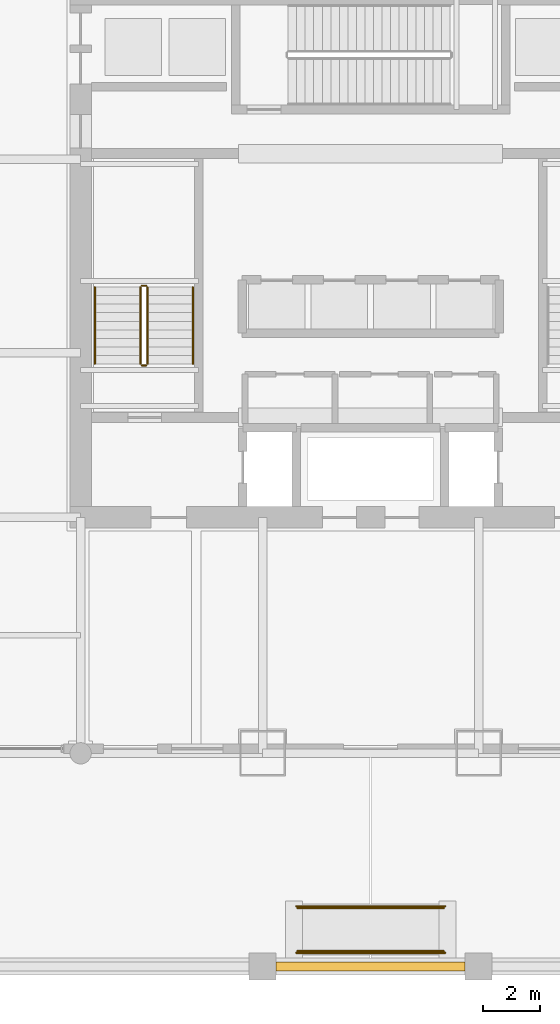
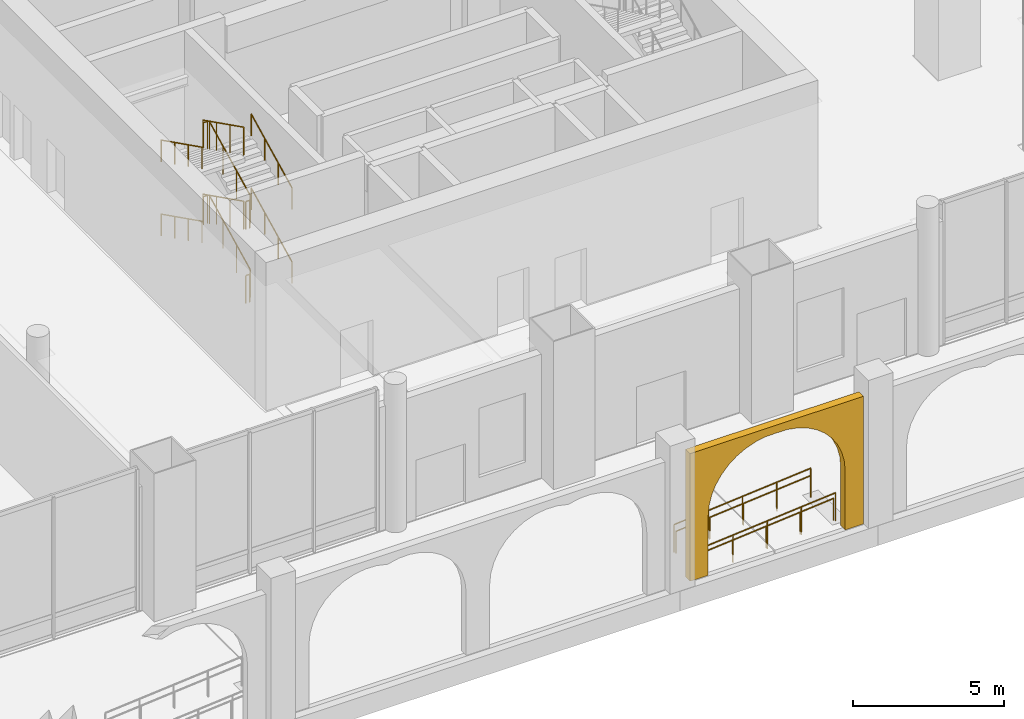
# One storey, part 26 of 32: 16 railings, 1 covering.
"""IFC4 building model written with IfcOpenShell, lengths in metres."""

from ifc_helpers import new_model, si_unit, direction, frame, origin, origin_2d, place, context, subcontext, project, spatial, polyline, circle, outline, extrude, material, layer, layer_set, type_object, element, save


model = new_model("IFC4")

# Units and contexts
model_context = context("Model", 3, precision=1e-05, world=origin(), true_north=direction((0.0, 1.0)))
body_context = subcontext(model_context, "Body", "Model", "MODEL_VIEW")
ifc_project = project(units=[si_unit("LENGTHUNIT", "METRE"), si_unit("AREAUNIT", "SQUARE_METRE"), si_unit("VOLUMEUNIT", "CUBIC_METRE"), si_unit("PLANEANGLEUNIT", "RADIAN"), si_unit("MASSUNIT", "GRAM", prefix="KILO")], contexts=[model_context])

# Site, building, storey
site_placement = place(None, origin())
site = spatial("IfcSite", under=ifc_project, at=site_placement, CompositionType="ELEMENT")
building_placement = place(site_placement, origin())
building = spatial("IfcBuilding", under=site, at=building_placement, Name="Punatoya Terracotta Tower", CompositionType="ELEMENT")
storey_placement = place(building_placement, origin())
storey = spatial("IfcBuildingStorey", under=building, at=storey_placement, Name="L00", CompositionType="ELEMENT", Elevation=0.0)

# Covering
ifc_material_1 = material(Name="Architectural Fired Terracotta Rainscreen", Category="masonry")
ifc_layer = layer(ifc_material_1, 0.300048828125)
ifc_layer_set = layer_set([ifc_layer], Name="Architectural Fired Terracotta Rainscreen")
covering_type = type_object("IfcCoveringType", Name="COV-ARC-300", PredefinedType="CLADDING", material=ifc_layer_set)
covering_placement = place(storey_placement, frame((-3.324951171875, -25.0, 0.0), z_axis=(0.0, 0.0, 1.0), x_axis=(1.0, 0.0, 0.0)))
element("IfcCovering", 1, at=covering_placement, inside=storey, type_object=covering_type, Name="L00 Waterfront Arcade Pointed-Arch Spandrel Panel 04", PredefinedType="CLADDING", context=body_context, shape_type="SweptSolid", body=[
    extrude(outline(polyline([(0.0, 0.0), (0.699951171875, 0.0), (0.699951171875, 2.39990234375), (0.73291015625, 2.80078125), (0.830810546875, 3.19091796875), (0.9912109375, 3.559814453125), (1.209716796875, 3.897705078125), (1.480224609375, 4.1953125), (1.795654296875, 4.44482421875), (2.147705078125, 4.639404296875), (2.52685546875, 4.77392578125), (2.9228515625, 4.8447265625), (3.324951171875, 4.85009765625), (3.727294921875, 4.8447265625), (4.123291015625, 4.77392578125), (4.502197265625, 4.639404296875), (4.854248046875, 4.44482421875), (5.169921875, 4.1953125), (5.4404296875, 3.897705078125), (5.65869140625, 3.559814453125), (5.819091796875, 3.19091796875), (5.9169921875, 2.80078125), (5.949951171875, 2.39990234375), (5.949951171875, 0.0), (6.64990234375, 0.0), (6.64990234375, 5.169921875), (0.0, 5.169921875), (0.0, 0.0)])), frame((0.0, 0.14990234375, 0.0), z_axis=(0.0, -1.0, 0.0), x_axis=(1.0, 0.0, 0.0)), (0.0, 0.0, 1.0), 0.300048828125),
])

# Railings
ifc_material_2 = material(Name="Steel S355", Category="steel")
railing_type_1 = type_object("IfcRailingType", Name="RLG-GRD-1150", PredefinedType="GUARDRAIL", material=ifc_material_2)
railing_1_placement = place(storey_placement, frame((-7.85009765625, -3.800048828125, 0.14990234375)))
element("IfcRailing", 2, at=railing_1_placement, inside=storey, type_object=railing_type_1, Name="L00 ST-1 stair guard 1", PredefinedType="GUARDRAIL", context=body_context, shape_type="SweptSolid", body=[
    extrude(circle(Radius=0.02392578125, at=origin_2d()), frame((0.0, 0.0, 1.1259765625), z_axis=(0.0, 0.894411015155, 0.447245945728), x_axis=(-1.0, 0.0, 0.0)), (0.0, 0.0, 1.0), 3.018798828125),
    extrude(circle(Radius=0.02099609375, at=origin_2d()), origin(), (0.0, 0.0, 1.0), 1.101806640625),
    extrude(circle(Radius=0.02099609375, at=origin_2d()), frame((0.0, 0.89990234375, 0.449951171875)), (0.0, 0.0, 1.0), 1.101806640625),
    extrude(circle(Radius=0.02099609375, at=origin_2d()), frame((0.0, 1.800048828125, 0.900146484375)), (0.0, 0.0, 1.0), 1.101806640625),
    extrude(circle(Radius=0.02099609375, at=origin_2d()), frame((0.0, 2.699951171875, 1.35009765625)), (0.0, 0.0, 1.0), 1.101806640625),
])
railing_2_placement = place(storey_placement, frame((-7.89990234375, -1.050048828125, 1.5)))
element("IfcRailing", 3, at=railing_2_placement, inside=storey, type_object=railing_type_1, Name="L00 ST-1 stair guard 2", PredefinedType="GUARDRAIL", context=body_context, shape_type="SweptSolid", body=[
    extrude(circle(Radius=0.02392578125, at=origin_2d()), frame((0.0, 0.0, 1.1259765625), z_axis=(-1.0, 0.0, 0.0), x_axis=(0.0, -1.0, 0.0)), (0.0, 0.0, 1.0), 0.150146484375),
    extrude(circle(Radius=0.02099609375, at=origin_2d()), origin(), (0.0, 0.0, 1.0), 1.101806640625),
    extrude(circle(Radius=0.02099609375, at=origin_2d()), frame((-0.150146484375, 0.0, 0.0)), (0.0, 0.0, 1.0), 1.101806640625),
])
railing_3_placement = place(storey_placement, frame((-8.10009765625, -1.10009765625, 1.64990234375)))
element("IfcRailing", 4, at=railing_3_placement, inside=storey, type_object=railing_type_1, Name="L00 ST-1 stair guard 3", PredefinedType="GUARDRAIL", context=body_context, shape_type="SweptSolid", body=[
    extrude(circle(Radius=0.02392578125, at=origin_2d()), frame((0.0, 0.0, 1.1259765625), z_axis=(0.0, -0.894411015155, 0.447245945728), x_axis=(1.0, 0.0, 0.0)), (0.0, 0.0, 1.0), 3.018798828125),
    extrude(circle(Radius=0.02099609375, at=origin_2d()), origin(), (0.0, 0.0, 1.0), 1.101806640625),
    extrude(circle(Radius=0.02099609375, at=origin_2d()), frame((0.0, -0.89990234375, 0.449951171875)), (0.0, 0.0, 1.0), 1.101806640625),
    extrude(circle(Radius=0.02099609375, at=origin_2d()), frame((0.0, -1.800048828125, 0.900146484375)), (0.0, 0.0, 1.0), 1.101806640625),
    extrude(circle(Radius=0.02099609375, at=origin_2d()), frame((0.0, -2.699951171875, 1.35009765625)), (0.0, 0.0, 1.0), 1.101806640625),
])
railing_4_placement = place(storey_placement, frame((-7.89990234375, -3.85009765625, 3.0)))
element("IfcRailing", 5, at=railing_4_placement, inside=storey, type_object=railing_type_1, Name="L00 ST-1 stair guard 4", PredefinedType="GUARDRAIL", context=body_context, shape_type="SweptSolid", body=[
    extrude(circle(Radius=0.02392578125, at=origin_2d()), frame((0.0, 0.0, 1.1259765625), z_axis=(-1.0, 0.0, 0.0), x_axis=(0.0, -1.0, 0.0)), (0.0, 0.0, 1.0), 0.150146484375),
    extrude(circle(Radius=0.02099609375, at=origin_2d()), origin(), (0.0, 0.0, 1.0), 1.101806640625),
    extrude(circle(Radius=0.02099609375, at=origin_2d()), frame((-0.150146484375, 0.0, 0.0)), (0.0, 0.0, 1.0), 1.101806640625),
])
railing_5_placement = place(storey_placement, frame((-7.85009765625, -3.800048828125, 3.14990234375)))
element("IfcRailing", 6, at=railing_5_placement, inside=storey, type_object=railing_type_1, Name="L00 ST-1 stair guard 5", PredefinedType="GUARDRAIL", context=body_context, shape_type="SweptSolid", body=[
    extrude(circle(Radius=0.02392578125, at=origin_2d()), frame((0.0, 0.0, 1.1259765625), z_axis=(0.0, 0.894411015155, 0.447245945728), x_axis=(-1.0, 0.0, 0.0)), (0.0, 0.0, 1.0), 3.018798828125),
    extrude(circle(Radius=0.02099609375, at=origin_2d()), origin(), (0.0, 0.0, 1.0), 1.101806640625),
    extrude(circle(Radius=0.02099609375, at=origin_2d()), frame((0.0, 0.89990234375, 0.449951171875)), (0.0, 0.0, 1.0), 1.101806640625),
    extrude(circle(Radius=0.02099609375, at=origin_2d()), frame((0.0, 1.800048828125, 0.900146484375)), (0.0, 0.0, 1.0), 1.101806640625),
    extrude(circle(Radius=0.02099609375, at=origin_2d()), frame((0.0, 2.699951171875, 1.35009765625)), (0.0, 0.0, 1.0), 1.101806640625),
])
railing_6_placement = place(storey_placement, frame((-7.89990234375, -1.050048828125, 4.5)))
element("IfcRailing", 7, at=railing_6_placement, inside=storey, type_object=railing_type_1, Name="L00 ST-1 stair guard 6", PredefinedType="GUARDRAIL", context=body_context, shape_type="SweptSolid", body=[
    extrude(circle(Radius=0.02392578125, at=origin_2d()), frame((0.0, 0.0, 1.1259765625), z_axis=(-1.0, 0.0, 0.0), x_axis=(0.0, -1.0, 0.0)), (0.0, 0.0, 1.0), 0.150146484375),
    extrude(circle(Radius=0.02099609375, at=origin_2d()), origin(), (0.0, 0.0, 1.0), 1.101806640625),
    extrude(circle(Radius=0.02099609375, at=origin_2d()), frame((-0.150146484375, 0.0, 0.0)), (0.0, 0.0, 1.0), 1.101806640625),
])
railing_7_placement = place(storey_placement, frame((-8.10009765625, -1.10009765625, 4.64990234375)))
element("IfcRailing", 8, at=railing_7_placement, inside=storey, type_object=railing_type_1, Name="L00 ST-1 stair guard 7", PredefinedType="GUARDRAIL", context=body_context, shape_type="SweptSolid", body=[
    extrude(circle(Radius=0.02392578125, at=origin_2d()), frame((0.0, 0.0, 1.1259765625), z_axis=(0.0, -0.894411015155, 0.447245945728), x_axis=(1.0, 0.0, 0.0)), (0.0, 0.0, 1.0), 3.018798828125),
    extrude(circle(Radius=0.02099609375, at=origin_2d()), origin(), (0.0, 0.0, 1.0), 1.101806640625),
    extrude(circle(Radius=0.02099609375, at=origin_2d()), frame((0.0, -0.89990234375, 0.449951171875)), (0.0, 0.0, 1.0), 1.101806640625),
    extrude(circle(Radius=0.02099609375, at=origin_2d()), frame((0.0, -1.800048828125, 0.900146484375)), (0.0, 0.0, 1.0), 1.101806640625),
    extrude(circle(Radius=0.02099609375, at=origin_2d()), frame((0.0, -2.699951171875, 1.35009765625)), (0.0, 0.0, 1.0), 1.101806640625),
])
railing_8_placement = place(storey_placement, frame((-7.89990234375, -3.85009765625, 0.0)))
element("IfcRailing", 9, at=railing_8_placement, inside=storey, type_object=railing_type_1, Name="L00 ST-1 stair guard 8", PredefinedType="GUARDRAIL", context=body_context, shape_type="SweptSolid", body=[
    extrude(circle(Radius=0.02392578125, at=origin_2d()), frame((0.0, 0.0, 1.1259765625), z_axis=(-1.0, 0.0, 0.0), x_axis=(0.0, -1.0, 0.0)), (0.0, 0.0, 1.0), 0.150146484375),
    extrude(circle(Radius=0.02099609375, at=origin_2d()), origin(), (0.0, 0.0, 1.0), 1.101806640625),
    extrude(circle(Radius=0.02099609375, at=origin_2d()), frame((-0.150146484375, 0.0, 0.0)), (0.0, 0.0, 1.0), 1.101806640625),
])
for number, where, name in (
    (10, (-2.6201171875, -24.52001953125, -0.449951171875), "PR-5 Guardrail S"),
    (11, (-2.6201171875, -22.8798828125, -0.449951171875), "PR-5 Guardrail N"),
):
    element("IfcRailing", number, at=place(storey_placement, frame(where)), inside=storey, type_object=railing_type_1, Name=name, PredefinedType="GUARDRAIL", context=body_context, shape_type="SweptSolid", body=[
        extrude(circle(Radius=0.02392578125, at=origin_2d()), frame((0.0, 0.0, 1.1259765625), z_axis=(0.99633388592, 0.0, 0.085549913891), x_axis=(0.0, 1.0, 0.0)), (0.0, 0.0, 1.0), 5.259521484375),
        extrude(circle(Radius=0.02099609375, at=origin_2d()), origin(), (0.0, 0.0, 1.0), 1.101806640625),
        extrude(circle(Radius=0.02099609375, at=origin_2d()), frame((1.31005859375, 0.0, 0.112548828125)), (0.0, 0.0, 1.0), 1.101806640625),
        extrude(circle(Radius=0.02099609375, at=origin_2d()), frame((2.6201171875, 0.0, 0.22509765625)), (0.0, 0.0, 1.0), 1.101806640625),
        extrude(circle(Radius=0.02099609375, at=origin_2d()), frame((3.93017578125, 0.0, 0.33740234375)), (0.0, 0.0, 1.0), 1.101806640625),
        extrude(circle(Radius=0.02099609375, at=origin_2d()), frame((5.240234375, 0.0, 0.449951171875)), (0.0, 0.0, 1.0), 1.101806640625),
    ])
railing_type_2 = type_object("IfcRailingType", Name="RLG-HND-900", PredefinedType="HANDRAIL", material=ifc_material_2)
railing_9_placement = place(storey_placement, frame((-6.25, -3.800048828125, 0.14990234375)))
element("IfcRailing", 12, at=railing_9_placement, inside=storey, type_object=railing_type_2, Name="L00 ST-1 stair handrail 1", PredefinedType="HANDRAIL", context=body_context, shape_type="SweptSolid", body=[
    extrude(circle(Radius=0.02392578125, at=origin_2d()), frame((0.0, 0.0, 0.8759765625), z_axis=(0.0, 0.894411015155, 0.447245945728), x_axis=(-1.0, 0.0, 0.0)), (0.0, 0.0, 1.0), 3.018798828125),
    extrude(circle(Radius=0.02099609375, at=origin_2d()), origin(), (0.0, 0.0, 1.0), 0.851806640625),
    extrude(circle(Radius=0.02099609375, at=origin_2d()), frame((0.0, 0.89990234375, 0.449951171875)), (0.0, 0.0, 1.0), 0.851806640625),
    extrude(circle(Radius=0.02099609375, at=origin_2d()), frame((0.0, 1.800048828125, 0.900146484375)), (0.0, 0.0, 1.0), 0.851806640625),
    extrude(circle(Radius=0.02099609375, at=origin_2d()), frame((0.0, 2.699951171875, 1.35009765625)), (0.0, 0.0, 1.0), 0.851806640625),
])
railing_10_placement = place(storey_placement, frame((-9.699951171875, -1.10009765625, 1.64990234375)))
element("IfcRailing", 13, at=railing_10_placement, inside=storey, type_object=railing_type_2, Name="L00 ST-1 stair handrail 2", PredefinedType="HANDRAIL", context=body_context, shape_type="SweptSolid", body=[
    extrude(circle(Radius=0.02392578125, at=origin_2d()), frame((0.0, 0.0, 0.8759765625), z_axis=(0.0, -0.894411015155, 0.447245945728), x_axis=(1.0, 0.0, 0.0)), (0.0, 0.0, 1.0), 3.018798828125),
    extrude(circle(Radius=0.02099609375, at=origin_2d()), origin(), (0.0, 0.0, 1.0), 0.851806640625),
    extrude(circle(Radius=0.02099609375, at=origin_2d()), frame((0.0, -0.89990234375, 0.449951171875)), (0.0, 0.0, 1.0), 0.851806640625),
    extrude(circle(Radius=0.02099609375, at=origin_2d()), frame((0.0, -1.800048828125, 0.900146484375)), (0.0, 0.0, 1.0), 0.851806640625),
    extrude(circle(Radius=0.02099609375, at=origin_2d()), frame((0.0, -2.699951171875, 1.35009765625)), (0.0, 0.0, 1.0), 0.851806640625),
])
railing_11_placement = place(storey_placement, frame((-6.25, -3.800048828125, 3.14990234375)))
element("IfcRailing", 14, at=railing_11_placement, inside=storey, type_object=railing_type_2, Name="L00 ST-1 stair handrail 3", PredefinedType="HANDRAIL", context=body_context, shape_type="SweptSolid", body=[
    extrude(circle(Radius=0.02392578125, at=origin_2d()), frame((0.0, 0.0, 0.8759765625), z_axis=(0.0, 0.894411015155, 0.447245945728), x_axis=(-1.0, 0.0, 0.0)), (0.0, 0.0, 1.0), 3.018798828125),
    extrude(circle(Radius=0.02099609375, at=origin_2d()), origin(), (0.0, 0.0, 1.0), 0.851806640625),
    extrude(circle(Radius=0.02099609375, at=origin_2d()), frame((0.0, 0.89990234375, 0.449951171875)), (0.0, 0.0, 1.0), 0.851806640625),
    extrude(circle(Radius=0.02099609375, at=origin_2d()), frame((0.0, 1.800048828125, 0.900146484375)), (0.0, 0.0, 1.0), 0.851806640625),
    extrude(circle(Radius=0.02099609375, at=origin_2d()), frame((0.0, 2.699951171875, 1.35009765625)), (0.0, 0.0, 1.0), 0.851806640625),
])
railing_12_placement = place(storey_placement, frame((-9.699951171875, -1.10009765625, 4.64990234375)))
element("IfcRailing", 15, at=railing_12_placement, inside=storey, type_object=railing_type_2, Name="L00 ST-1 stair handrail 4", PredefinedType="HANDRAIL", context=body_context, shape_type="SweptSolid", body=[
    extrude(circle(Radius=0.02392578125, at=origin_2d()), frame((0.0, 0.0, 0.8759765625), z_axis=(0.0, -0.894411015155, 0.447245945728), x_axis=(1.0, 0.0, 0.0)), (0.0, 0.0, 1.0), 3.018798828125),
    extrude(circle(Radius=0.02099609375, at=origin_2d()), origin(), (0.0, 0.0, 1.0), 0.851806640625),
    extrude(circle(Radius=0.02099609375, at=origin_2d()), frame((0.0, -0.89990234375, 0.449951171875)), (0.0, 0.0, 1.0), 0.851806640625),
    extrude(circle(Radius=0.02099609375, at=origin_2d()), frame((0.0, -1.800048828125, 0.900146484375)), (0.0, 0.0, 1.0), 0.851806640625),
    extrude(circle(Radius=0.02099609375, at=origin_2d()), frame((0.0, -2.699951171875, 1.35009765625)), (0.0, 0.0, 1.0), 0.851806640625),
])
for number, where, name in (
    (16, (-2.580078125, -24.4599609375, -0.449951171875), "PR-5 Handrail S"),
    (17, (-2.580078125, -22.93994140625, -0.449951171875), "PR-5 Handrail N"),
):
    element("IfcRailing", number, at=place(storey_placement, frame(where)), inside=storey, type_object=railing_type_2, Name=name, PredefinedType="HANDRAIL", context=body_context, shape_type="SweptSolid", body=[
        extrude(circle(Radius=0.02392578125, at=origin_2d()), frame((0.0, 0.0, 0.8759765625), z_axis=(0.996219866889, 0.0, 0.086867582072), x_axis=(0.0, 1.0, 0.0)), (0.0, 0.0, 1.0), 5.1796875),
        extrude(circle(Radius=0.02099609375, at=origin_2d()), origin(), (0.0, 0.0, 1.0), 0.851806640625),
        extrude(circle(Radius=0.02099609375, at=origin_2d()), frame((1.2900390625, 0.0, 0.112548828125)), (0.0, 0.0, 1.0), 0.851806640625),
        extrude(circle(Radius=0.02099609375, at=origin_2d()), frame((2.580078125, 0.0, 0.22509765625)), (0.0, 0.0, 1.0), 0.851806640625),
        extrude(circle(Radius=0.02099609375, at=origin_2d()), frame((3.8701171875, 0.0, 0.33740234375)), (0.0, 0.0, 1.0), 0.851806640625),
        extrude(circle(Radius=0.02099609375, at=origin_2d()), frame((5.16015625, 0.0, 0.449951171875)), (0.0, 0.0, 1.0), 0.851806640625),
    ])

save(model, "model.ifc")
